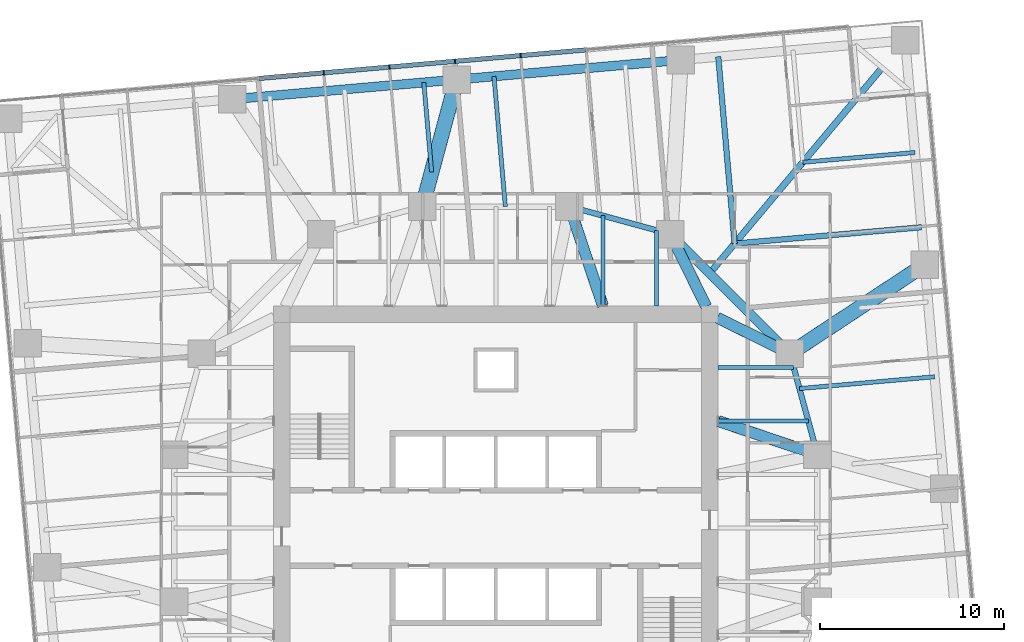
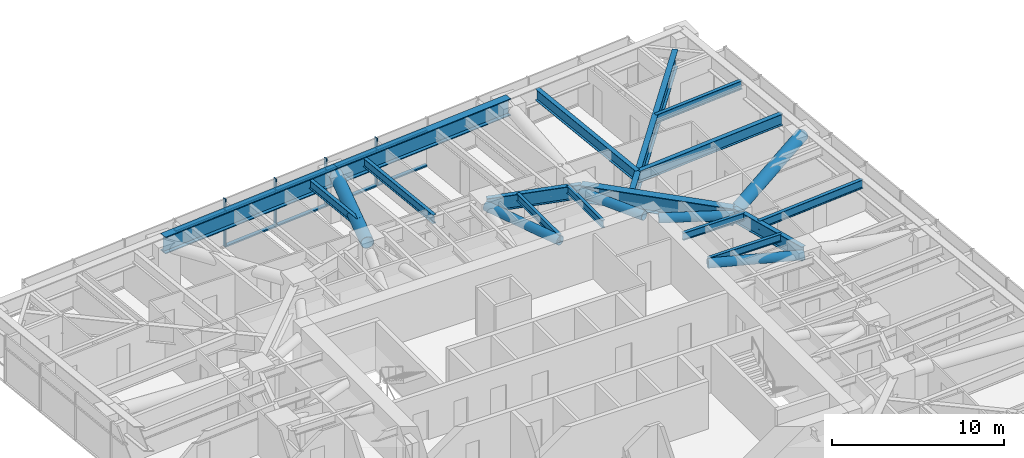
# One storey, part 7 of 18: 19 members, 16 beams, 1 element without a shape of its own.
"""IFC4 building model written with IfcOpenShell, lengths in metres."""

from ifc_helpers import new_model, si_unit, direction, frame, origin, origin_2d, place, context, subcontext, project, spatial, rectangle, hollow_circle, i_section, extrude, material, material_profile, profile_set, type_object, element, aggregate, save


model = new_model("IFC4")

# Units and contexts
model_context = context("Model", 3, precision=1e-05, world=origin(), true_north=direction((0.0, 1.0)))
body_context = subcontext(model_context, "Body", "Model", "MODEL_VIEW")
ifc_project = project(units=[si_unit("LENGTHUNIT", "METRE"), si_unit("AREAUNIT", "SQUARE_METRE"), si_unit("VOLUMEUNIT", "CUBIC_METRE"), si_unit("PLANEANGLEUNIT", "RADIAN"), si_unit("MASSUNIT", "GRAM", prefix="KILO")], contexts=[model_context])

# Site, building, storey
site_placement = place(None, origin())
site = spatial("IfcSite", under=ifc_project, at=site_placement, CompositionType="ELEMENT")
building_placement = place(site_placement, origin())
building = spatial("IfcBuilding", under=site, at=building_placement, Name="Torsade Residences", CompositionType="ELEMENT")
storey_placement = place(building_placement, frame((0.0, 0.0, 71.0)))
storey = spatial("IfcBuildingStorey", under=building, at=storey_placement, Name="L19", CompositionType="ELEMENT", Elevation=71.0)

# Beam
ifc_material_1 = material(Name="Steel grade 300", Category="steel")
ifc_material_profile_1 = material_profile(ifc_material_1, i_section(OverallWidth=0.35009765625, OverallDepth=1.199951171875, WebThickness=0.01611328125, FlangeThickness=0.028076171875, at=origin_2d()), Name="1200WB278")
ifc_profile_set_1 = profile_set([ifc_material_profile_1], Name="Steel grade 300")
beam_type_1 = type_object("IfcBeamType", Name="CORNER GIRDER 1200WB278", PredefinedType="BEAM", material=ifc_profile_set_1)
beam_1_placement = place(storey_placement, frame((61.021484375, 55.052490234375, 2.60009765625), z_axis=(-0.642785419012, -0.766046281307, 0.0), x_axis=(0.766046281307, -0.642785419012, 0.0)))
element("IfcBeam", 1, at=beam_1_placement, inside=storey, type_object=beam_type_1, Name="Corner girder 09 L20", PredefinedType="BEAM", context=body_context, shape_type="SweptSolid", body=[
    extrude(i_section(OverallWidth=0.35009765625, OverallDepth=1.199951171875, WebThickness=0.01611328125, FlangeThickness=0.028076171875, at=origin_2d()), origin(), (0.0, 0.0, 1.0), 14.603515625),
])

# Curtain wall, members
ifc_material_2 = material(Name="Aluminium and glass", Category="aluminium")
curtain_wall_type = type_object("IfcCurtainWallType", Name="FRITTED GLASS CURTAIN WALL LOW ZONE", PredefinedType="NOTDEFINED", material=ifc_material_2)
curtain_wall_placement = place(storey_placement, origin())
curtain_wall = element("IfcCurtainWall", 2, at=curtain_wall_placement, inside=storey, type_object=curtain_wall_type, Name="Curtain wall L19 face 7", PredefinedType="NOTDEFINED")
ifc_material_3 = material(Name="Aluminium mullion", Category="aluminium")
ifc_material_profile_2 = material_profile(ifc_material_3, rectangle(XDim=0.25, YDim=0.06494140625, at=origin_2d()), Name="CURTAIN WALL MULLION 250x65")
ifc_profile_set_2 = profile_set([ifc_material_profile_2], Name="Aluminium mullion")
member_type_1 = type_object("IfcMemberType", Name="CURTAIN WALL MULLION 250x65", PredefinedType="MULLION", material=ifc_profile_set_2)
member_1_placement = place(storey_placement, frame((41.34716796875, 55.71533203125, 0.0), z_axis=(0.0, 0.0, 1.0), x_axis=(0.087155744208, -0.996194697964, 0.0)))
member_1 = element("IfcMember", 3, at=member_1_placement, type_object=member_type_1, Name="Mullion 6", PredefinedType="MULLION", context=body_context, shape_type="SweptSolid", body=[
    extrude(rectangle(XDim=0.25, YDim=0.06494140625, at=origin_2d()), origin(), (0.0, 0.0, 1.0), 3.39990234375),
])
member_2_placement = place(storey_placement, frame((37.777587890625, 55.403076171875, 0.0), z_axis=(0.0, 0.0, 1.0), x_axis=(0.087155744208, -0.996194697964, 0.0)))
member_2 = element("IfcMember", 4, at=member_2_placement, type_object=member_type_1, Name="Mullion 7", PredefinedType="MULLION", context=body_context, shape_type="SweptSolid", body=[
    extrude(rectangle(XDim=0.25, YDim=0.06494140625, at=origin_2d()), origin(), (0.0, 0.0, 1.0), 3.39990234375),
])
member_3_placement = place(storey_placement, frame((34.207763671875, 55.090576171875, 0.0), z_axis=(0.0, 0.0, 1.0), x_axis=(0.087155744208, -0.996194697964, 0.0)))
member_3 = element("IfcMember", 5, at=member_3_placement, type_object=member_type_1, Name="Mullion 8", PredefinedType="MULLION", context=body_context, shape_type="SweptSolid", body=[
    extrude(rectangle(XDim=0.25, YDim=0.06494140625, at=origin_2d()), origin(), (0.0, 0.0, 1.0), 3.39990234375),
])
member_4_placement = place(storey_placement, frame((30.63818359375, 54.7783203125, 0.0), z_axis=(0.0, 0.0, 1.0), x_axis=(0.087155744208, -0.996194697964, 0.0)))
member_4 = element("IfcMember", 6, at=member_4_placement, type_object=member_type_1, Name="Mullion 9", PredefinedType="MULLION", context=body_context, shape_type="SweptSolid", body=[
    extrude(rectangle(XDim=0.25, YDim=0.06494140625, at=origin_2d()), origin(), (0.0, 0.0, 1.0), 3.39990234375),
])
ifc_material_4 = material(Name="Aluminium transom", Category="aluminium")
ifc_material_profile_3 = material_profile(ifc_material_4, rectangle(XDim=0.25, YDim=0.10009765625, at=origin_2d()), Name="CURTAIN WALL TRANSOM 250x100")
ifc_profile_set_3 = profile_set([ifc_material_profile_3], Name="Aluminium transom")
member_type_2 = type_object("IfcMemberType", Name="CURTAIN WALL TRANSOM 250x100", PredefinedType="USERDEFINED", material=ifc_profile_set_3)
member_5_placement = place(storey_placement, frame((44.884521484375, 56.024658203125, 0.050048828125), z_axis=(-0.996194621295, -0.087156620531, 0.0), x_axis=(0.087156620531, -0.996194621295, 0.0)))
member_5 = element("IfcMember", 7, at=member_5_placement, type_object=member_type_2, Name="Transom 5.1", ObjectType="TRANSOM", PredefinedType="USERDEFINED", context=body_context, shape_type="SweptSolid", body=[
    extrude(rectangle(XDim=0.25, YDim=0.10009765625, at=origin_2d()), origin(), (0.0, 0.0, 1.0), 3.518310546875),
])
member_6_placement = place(storey_placement, frame((44.884521484375, 56.024658203125, 2.550048828125), z_axis=(-0.996194621295, -0.087156620531, 0.0), x_axis=(0.087156620531, -0.996194621295, 0.0)))
member_6 = element("IfcMember", 8, at=member_6_placement, type_object=member_type_2, Name="Transom 5.2", ObjectType="TRANSOM", PredefinedType="USERDEFINED", context=body_context, shape_type="SweptSolid", body=[
    extrude(rectangle(XDim=0.25, YDim=0.10009765625, at=origin_2d()), origin(), (0.0, 0.0, 1.0), 3.518310546875),
])
member_7_placement = place(storey_placement, frame((41.31494140625, 55.71240234375, 0.050048828125), z_axis=(-0.996195148363, -0.08715059597, 0.0), x_axis=(0.08715059597, -0.996195148363, 0.0)))
member_7 = element("IfcMember", 9, at=member_7_placement, type_object=member_type_2, Name="Transom 6.1", ObjectType="TRANSOM", PredefinedType="USERDEFINED", context=body_context, shape_type="SweptSolid", body=[
    extrude(rectangle(XDim=0.25, YDim=0.10009765625, at=origin_2d()), origin(), (0.0, 0.0, 1.0), 3.5185546875),
])
member_8_placement = place(storey_placement, frame((41.31494140625, 55.71240234375, 2.550048828125), z_axis=(-0.996195148363, -0.08715059597, 0.0), x_axis=(0.08715059597, -0.996195148363, 0.0)))
member_8 = element("IfcMember", 10, at=member_8_placement, type_object=member_type_2, Name="Transom 6.2", ObjectType="TRANSOM", PredefinedType="USERDEFINED", context=body_context, shape_type="SweptSolid", body=[
    extrude(rectangle(XDim=0.25, YDim=0.10009765625, at=origin_2d()), origin(), (0.0, 0.0, 1.0), 3.5185546875),
])
member_9_placement = place(storey_placement, frame((37.7451171875, 55.400146484375, 0.050048828125), z_axis=(-0.996194621295, -0.087156620531, 0.0), x_axis=(0.087156620531, -0.996194621295, 0.0)))
member_9 = element("IfcMember", 11, at=member_9_placement, type_object=member_type_2, Name="Transom 7.1", ObjectType="TRANSOM", PredefinedType="USERDEFINED", context=body_context, shape_type="SweptSolid", body=[
    extrude(rectangle(XDim=0.25, YDim=0.10009765625, at=origin_2d()), origin(), (0.0, 0.0, 1.0), 3.518310546875),
])
member_10_placement = place(storey_placement, frame((37.7451171875, 55.400146484375, 2.550048828125), z_axis=(-0.996194621295, -0.087156620531, 0.0), x_axis=(0.087156620531, -0.996194621295, 0.0)))
member_10 = element("IfcMember", 12, at=member_10_placement, type_object=member_type_2, Name="Transom 7.2", ObjectType="TRANSOM", PredefinedType="USERDEFINED", context=body_context, shape_type="SweptSolid", body=[
    extrude(rectangle(XDim=0.25, YDim=0.10009765625, at=origin_2d()), origin(), (0.0, 0.0, 1.0), 3.518310546875),
])
member_11_placement = place(storey_placement, frame((34.175537109375, 55.087890625, 0.050048828125), z_axis=(-0.996195148363, -0.08715059597, 0.0), x_axis=(0.08715059597, -0.996195148363, 0.0)))
member_11 = element("IfcMember", 13, at=member_11_placement, type_object=member_type_2, Name="Transom 8.1", ObjectType="TRANSOM", PredefinedType="USERDEFINED", context=body_context, shape_type="SweptSolid", body=[
    extrude(rectangle(XDim=0.25, YDim=0.10009765625, at=origin_2d()), origin(), (0.0, 0.0, 1.0), 3.5185546875),
])
member_12_placement = place(storey_placement, frame((34.175537109375, 55.087890625, 2.550048828125), z_axis=(-0.996195148363, -0.08715059597, 0.0), x_axis=(0.08715059597, -0.996195148363, 0.0)))
member_12 = element("IfcMember", 14, at=member_12_placement, type_object=member_type_2, Name="Transom 8.2", ObjectType="TRANSOM", PredefinedType="USERDEFINED", context=body_context, shape_type="SweptSolid", body=[
    extrude(rectangle(XDim=0.25, YDim=0.10009765625, at=origin_2d()), origin(), (0.0, 0.0, 1.0), 3.5185546875),
])
member_13_placement = place(storey_placement, frame((30.605712890625, 54.775634765625, 2.550048828125), z_axis=(-0.996194621295, -0.087156620531, 0.0), x_axis=(0.087156620531, -0.996194621295, 0.0)))
member_13 = element("IfcMember", 15, at=member_13_placement, type_object=member_type_2, Name="Transom 9.2", ObjectType="TRANSOM", PredefinedType="USERDEFINED", context=body_context, shape_type="SweptSolid", body=[
    extrude(rectangle(XDim=0.25, YDim=0.10009765625, at=origin_2d()), origin(), (0.0, 0.0, 1.0), 3.518310546875),
])
aggregate(curtain_wall, [member_1, member_2, member_3, member_4, member_5, member_6, member_7, member_8, member_9, member_10, member_11, member_12, member_13])

# Beams
ifc_material_5 = material(Name="Steel grade 300", Category="steel")
ifc_material_profile_4 = material_profile(ifc_material_5, i_section(OverallWidth=0.208984375, OverallDepth=0.528076171875, WebThickness=0.009521484375, FlangeThickness=0.01318359375, FilletRadius=0.013916015625, at=origin_2d()), Name="530UB82.0")
ifc_profile_set_4 = profile_set([ifc_material_profile_4], Name="Steel grade 300")
beam_type_2 = type_object("IfcBeamType", Name="INNER FLOOR BEAM 530UB82.0", PredefinedType="JOIST", material=ifc_profile_set_4)
beam_2_placement = place(storey_placement, frame((45.824951171875, 42.10009765625, 2.93603515625), z_axis=(0.0, 1.0, 0.0), x_axis=(-1.0, 0.0, 0.0)))
element("IfcBeam", 16, at=beam_2_placement, inside=storey, type_object=beam_type_2, Name="Inner floor beam IN06 L20", PredefinedType="JOIST", context=body_context, shape_type="SweptSolid", body=[
    extrude(i_section(OverallWidth=0.208984375, OverallDepth=0.528076171875, WebThickness=0.009521484375, FlangeThickness=0.01318359375, FilletRadius=0.013916015625, at=origin_2d()), origin(), (0.0, 0.0, 1.0), 4.902099609375),
])
beam_3_placement = place(storey_placement, frame((48.737548828125, 42.10009765625, 2.93603515625), z_axis=(0.0, 1.0, 0.0), x_axis=(-1.0, 0.0, 0.0)))
element("IfcBeam", 17, at=beam_3_placement, inside=storey, type_object=beam_type_2, Name="Inner floor beam IN07 L20", PredefinedType="JOIST", context=body_context, shape_type="SweptSolid", body=[
    extrude(i_section(OverallWidth=0.208984375, OverallDepth=0.528076171875, WebThickness=0.009521484375, FlangeThickness=0.01318359375, FilletRadius=0.013916015625, at=origin_2d()), origin(), (0.0, 0.0, 1.0), 4.10791015625),
])
beam_4_placement = place(storey_placement, frame((52.10009765625, 35.824951171875, 2.93603515625), z_axis=(1.0, 0.0, 0.0), x_axis=(0.0, 1.0, 0.0)))
element("IfcBeam", 18, at=beam_4_placement, inside=storey, type_object=beam_type_2, Name="Inner floor beam IE06 L20", PredefinedType="JOIST", context=body_context, shape_type="SweptSolid", body=[
    extrude(i_section(OverallWidth=0.208984375, OverallDepth=0.528076171875, WebThickness=0.009521484375, FlangeThickness=0.01318359375, FilletRadius=0.013916015625, at=origin_2d()), origin(), (0.0, 0.0, 1.0), 4.902099609375),
])
beam_5_placement = place(storey_placement, frame((52.10009765625, 38.737548828125, 2.93603515625), z_axis=(1.0, 0.0, 0.0), x_axis=(0.0, 1.0, 0.0)))
element("IfcBeam", 19, at=beam_5_placement, inside=storey, type_object=beam_type_2, Name="Inner floor beam IE07 L20", PredefinedType="JOIST", context=body_context, shape_type="SweptSolid", body=[
    extrude(i_section(OverallWidth=0.208984375, OverallDepth=0.528076171875, WebThickness=0.009521484375, FlangeThickness=0.01318359375, FilletRadius=0.013916015625, at=origin_2d()), origin(), (0.0, 0.0, 1.0), 4.10791015625),
])
ifc_material_6 = material(Name="Steel grade 300", Category="steel")
ifc_material_profile_5 = material_profile(ifc_material_6, i_section(OverallWidth=0.5, OverallDepth=1.199951171875, WebThickness=0.01611328125, FlangeThickness=0.0400390625, at=origin_2d()), Name="1200WB455")
ifc_profile_set_5 = profile_set([ifc_material_profile_5], Name="Steel grade 300")
beam_type_3 = type_object("IfcBeamType", Name="RING CORNER GIRDER 1200WB455", PredefinedType="BEAM", material=ifc_profile_set_5)
beam_6_placement = place(storey_placement, frame((56.0, 39.5, 2.60009765625), z_axis=(-0.707106781187, 0.707106781187, 0.0), x_axis=(-0.707106781187, -0.707106781187, 0.0)))
element("IfcBeam", 20, at=beam_6_placement, inside=storey, type_object=beam_type_3, Name="Ring girder IR03 L20", PredefinedType="BEAM", context=body_context, shape_type="SweptSolid", body=[
    extrude(i_section(OverallWidth=0.5, OverallDepth=1.199951171875, WebThickness=0.01611328125, FlangeThickness=0.0400390625, at=origin_2d()), origin(), (0.0, 0.0, 1.0), 9.1923828125),
])
ifc_material_7 = material(Name="Steel grade 300", Category="steel")
ifc_material_profile_6 = material_profile(ifc_material_7, i_section(OverallWidth=0.300048828125, OverallDepth=1.0, WebThickness=0.01611328125, FlangeThickness=0.028076171875, at=origin_2d()), Name="1000WB215")
ifc_profile_set_6 = profile_set([ifc_material_profile_6], Name="Steel grade 300")
beam_type_4 = type_object("IfcBeamType", Name="RING GIRDER 1000WB215", PredefinedType="BEAM", material=ifc_profile_set_6)
for number, where, z_axis, x_axis, name in (
    (21, (57.5, 34.0, 2.699951171875), (-0.263117405792, 0.964763821238, 0.0), (-0.964763821238, -0.263117405792, 0.0), "Ring girder IR02 L20"),
    (22, (49.5, 46.0, 2.699951171875), (-0.964763821238, 0.263117405792, 0.0), (-0.263117405792, -0.964763821238, 0.0), "Ring girder IR04 L20"),
):
    element("IfcBeam", number, at=place(storey_placement, frame(where, z_axis=z_axis, x_axis=x_axis)), inside=storey, type_object=beam_type_4, Name=name, PredefinedType="BEAM", context=body_context, shape_type="SweptSolid", body=[
        extrude(i_section(OverallWidth=0.300048828125, OverallDepth=1.0, WebThickness=0.01611328125, FlangeThickness=0.028076171875, at=origin_2d()), origin(), (0.0, 0.0, 1.0), 5.700927734375),
    ])
ifc_material_8 = material(Name="Steel grade 300", Category="steel")
ifc_material_profile_7 = material_profile(ifc_material_8, i_section(OverallWidth=0.22900390625, OverallDepth=0.612060546875, WebThickness=0.011962890625, FlangeThickness=0.01953125, FilletRadius=0.013916015625, at=origin_2d()), Name="610UB125")
ifc_profile_set_7 = profile_set([ifc_material_profile_7], Name="Steel grade 300")
beam_type_5 = type_object("IfcBeamType", Name="SECONDARY BEAM 610UB125", PredefinedType="JOIST", material=ifc_profile_set_7)
beam_7_placement = place(storey_placement, frame((63.873046875, 38.237060546875, 2.89404296875), z_axis=(-0.996194650902, -0.087156282128, 0.0), x_axis=(0.087156282128, -0.996194650902, 0.0)))
element("IfcBeam", 23, at=beam_7_placement, inside=storey, type_object=beam_type_5, Name="Floor beam FE08 L20", PredefinedType="JOIST", context=body_context, shape_type="SweptSolid", body=[
    extrude(i_section(OverallWidth=0.22900390625, OverallDepth=0.612060546875, WebThickness=0.011962890625, FlangeThickness=0.01953125, FilletRadius=0.013916015625, at=origin_2d()), origin(), (0.0, 0.0, 1.0), 7.381103515625),
])
beam_8_placement = place(storey_placement, frame((62.80517578125, 50.4404296875, 2.89404296875), z_axis=(-0.996193025206, -0.087174861801, 0.0), x_axis=(0.087174861801, -0.996193025206, 0.0)))
element("IfcBeam", 24, at=beam_8_placement, inside=storey, type_object=beam_type_5, Name="Floor beam FE11 L20", PredefinedType="JOIST", context=body_context, shape_type="SweptSolid", body=[
    extrude(i_section(OverallWidth=0.22900390625, OverallDepth=0.612060546875, WebThickness=0.011962890625, FlangeThickness=0.01953125, FilletRadius=0.013916015625, at=origin_2d()), origin(), (0.0, 0.0, 1.0), 6.125),
])
beam_9_placement = place(storey_placement, frame((39.898681640625, 54.584716796875, 2.89404296875), z_axis=(0.087127345813, -0.996197182094, 0.0), x_axis=(0.996197182094, 0.087127345813, 0.0)))
element("IfcBeam", 25, at=beam_9_placement, inside=storey, type_object=beam_type_5, Name="Floor beam FN06 L20", PredefinedType="JOIST", context=body_context, shape_type="SweptSolid", body=[
    extrude(i_section(OverallWidth=0.22900390625, OverallDepth=0.612060546875, WebThickness=0.011962890625, FlangeThickness=0.01953125, FilletRadius=0.013916015625, at=origin_2d()), origin(), (0.0, 0.0, 1.0), 7.11181640625),
])
beam_10_placement = place(storey_placement, frame((36.079833984375, 54.250732421875, 2.89404296875), z_axis=(0.087152716714, -0.996194962831, 0.0), x_axis=(0.996194962831, 0.087152716714, 0.0)))
element("IfcBeam", 26, at=beam_10_placement, inside=storey, type_object=beam_type_5, Name="Floor beam FN07 L20", PredefinedType="JOIST", context=body_context, shape_type="SweptSolid", body=[
    extrude(i_section(OverallWidth=0.22900390625, OverallDepth=0.612060546875, WebThickness=0.011962890625, FlangeThickness=0.01953125, FilletRadius=0.013916015625, at=origin_2d()), origin(), (0.0, 0.0, 1.0), 4.893798828125),
])
ifc_material_9 = material(Name="Steel grade 300", Category="steel")
ifc_material_profile_8 = material_profile(ifc_material_9, i_section(OverallWidth=0.300048828125, OverallDepth=0.800048828125, WebThickness=0.010009765625, FlangeThickness=0.02001953125, at=origin_2d()), Name="800WB146")
ifc_profile_set_8 = profile_set([ifc_material_profile_8], Name="Steel grade 300")
beam_type_6 = type_object("IfcBeamType", Name="SECONDARY BEAM 800WB146", PredefinedType="JOIST", material=ifc_profile_set_8)
for number, where, z_axis, x_axis, name in (
    (27, (63.1611328125, 46.37255859375, 2.800048828125), (-0.996195222988, -0.087149742944, 0.0), (0.087149742944, -0.996195222988, 0.0), "Floor beam FE10 L20"),
    (28, (52.10205078125, 55.65234375, 2.800048828125), (0.087149742944, -0.996195222988, 0.0), (0.996195222988, 0.087149742944, 0.0), "Floor beam FN03 L20"),
):
    element("IfcBeam", number, at=place(storey_placement, frame(where, z_axis=z_axis, x_axis=x_axis)), inside=storey, type_object=beam_type_6, Name=name, PredefinedType="JOIST", context=body_context, shape_type="SweptSolid", body=[
        extrude(i_section(OverallWidth=0.300048828125, OverallDepth=0.800048828125, WebThickness=0.010009765625, FlangeThickness=0.02001953125, at=origin_2d()), origin(), (0.0, 0.0, 1.0), 10.208251953125),
    ])

# Members
ifc_material_10 = material(Name="Steel grade 450", Category="steel")
ifc_material_profile_9 = material_profile(ifc_material_10, hollow_circle(Radius=0.304931640625, WallThickness=0.01611328125, at=origin_2d()), Name="610.0x16.0CHS")
ifc_profile_set_9 = profile_set([ifc_material_profile_9], Name="Steel grade 450")
member_type_3 = type_object("IfcMemberType", Name="TRANSFER FLOOR BRACE 610.0x16.0CHS", PredefinedType="BRACE", material=ifc_profile_set_9)
member_14_placement = place(storey_placement, frame((57.5, 34.0, 2.60009765625), z_axis=(-0.946857291164, 0.319999920944, 0.032577918373), x_axis=(-0.320169867513, -0.947360151124, 0.0)))
element("IfcMember", 29, at=member_14_placement, inside=storey, type_object=member_type_3, Name="Transfer floor brace TT2 bottom IR02IE06", PredefinedType="BRACE", context=body_context, shape_type="SweptSolid", body=[
    extrude(hollow_circle(Radius=0.304931640625, WallThickness=0.01611328125, at=origin_2d()), origin(), (0.0, 0.0, 1.0), 5.702880859375),
])
for number, where, z_axis, x_axis, name in (
    (30, (56.0, 39.5, 2.60009765625), (-0.896469701914, 0.443105036702, 0.0), (-0.443105036702, -0.896469701914, 0.0), "Transfer floor brace TT2 bottom IR03C"),
    (31, (49.5, 46.0, 2.60009765625), (0.443105036702, -0.896469701914, 0.0), (0.896469701914, 0.443105036702, 0.0), "Transfer floor brace TT2 bottom IR04C"),
):
    element("IfcMember", number, at=place(storey_placement, frame(where, z_axis=z_axis, x_axis=x_axis)), inside=storey, type_object=member_type_3, Name=name, PredefinedType="BRACE", context=body_context, shape_type="SweptSolid", body=[
        extrude(hollow_circle(Radius=0.304931640625, WallThickness=0.01611328125, at=origin_2d()), origin(), (0.0, 0.0, 1.0), 4.40234375),
    ])
member_15_placement = place(storey_placement, frame((44.0, 47.5, 2.60009765625), z_axis=(0.319999920944, -0.946857291164, 0.032577918373), x_axis=(0.947360151124, 0.320169867513, 0.0)))
element("IfcMember", 32, at=member_15_placement, inside=storey, type_object=member_type_3, Name="Transfer floor brace TT2 bottom IR05IN06", PredefinedType="BRACE", context=body_context, shape_type="SweptSolid", body=[
    extrude(hollow_circle(Radius=0.304931640625, WallThickness=0.01611328125, at=origin_2d()), origin(), (0.0, 0.0, 1.0), 5.702880859375),
])
ifc_material_11 = material(Name="Steel grade 450", Category="steel")
ifc_material_profile_10 = material_profile(ifc_material_11, hollow_circle(Radius=0.406494140625, WallThickness=0.02490234375, at=origin_2d()), Name="813.0x25.0CHS")
ifc_profile_set_10 = profile_set([ifc_material_profile_10], Name="Steel grade 450")
member_type_4 = type_object("IfcMemberType", Name="TRANSFER FLOOR STRUT 813.0x25.0CHS", PredefinedType="STRUT", material=ifc_profile_set_10)
member_16_placement = place(storey_placement, frame((63.339111328125, 44.338623046875, 2.800048828125), z_axis=(-0.8348807583, -0.550430848899, 0.0), x_axis=(0.550430848899, -0.8348807583, 0.0)))
element("IfcMember", 33, at=member_16_placement, inside=storey, type_object=member_type_4, Name="Transfer floor strut TT2 bottom 08IR03", PredefinedType="STRUT", context=body_context, shape_type="SweptSolid", body=[
    extrude(hollow_circle(Radius=0.406494140625, WallThickness=0.02490234375, at=origin_2d()), origin(), (0.0, 0.0, 1.0), 8.79052734375),
])
member_17_placement = place(storey_placement, frame((37.86474609375, 54.40673828125, 2.800048828125), z_axis=(-0.260656310032, -0.965431658918, 0.0), x_axis=(0.965431658918, -0.260656310032, 0.0)))
element("IfcMember", 34, at=member_17_placement, inside=storey, type_object=member_type_4, Name="Transfer floor strut TT2 bottom 11IR06", PredefinedType="STRUT", context=body_context, shape_type="SweptSolid", body=[
    extrude(hollow_circle(Radius=0.406494140625, WallThickness=0.02490234375, at=origin_2d()), origin(), (0.0, 0.0, 1.0), 7.154052734375),
])

# Beams
ifc_material_12 = material(Name="Steel grade 350", Category="steel")
ifc_material_profile_11 = material_profile(ifc_material_12, i_section(OverallWidth=0.5, OverallDepth=1.199951171875, WebThickness=0.035888671875, FlangeThickness=0.06005859375, at=origin_2d()), Name="1200x500x60x36WPG")
ifc_profile_set_11 = profile_set([ifc_material_profile_11], Name="Steel grade 350")
beam_type_7 = type_object("IfcBeamType", Name="TRANSFER TRUSS CHORD 1200x500x60x36WPG", PredefinedType="USERDEFINED", material=ifc_profile_set_11)
for number, where, z_axis, x_axis, name in (
    (35, (50.068115234375, 55.474365234375, 2.800048828125), (-0.996194907201, -0.08715335259, 0.0), (0.08715335259, -0.996194907201, 0.0), "Transfer truss TT2 bottom chord 10"),
    (36, (37.86474609375, 54.40673828125, 2.800048828125), (-0.996194907201, -0.08715335259, 0.0), (0.08715335259, -0.996194907201, 0.0), "Transfer truss TT2 bottom chord 11"),
):
    element("IfcBeam", number, at=place(storey_placement, frame(where, z_axis=z_axis, x_axis=x_axis)), inside=storey, type_object=beam_type_7, Name=name, ObjectType="TRANSFER TRUSS CHORD", PredefinedType="USERDEFINED", context=body_context, shape_type="SweptSolid", body=[
        extrude(i_section(OverallWidth=0.5, OverallDepth=1.199951171875, WebThickness=0.035888671875, FlangeThickness=0.06005859375, at=origin_2d()), origin(), (0.0, 0.0, 1.0), 12.25),
    ])

save(model, "model.ifc")
